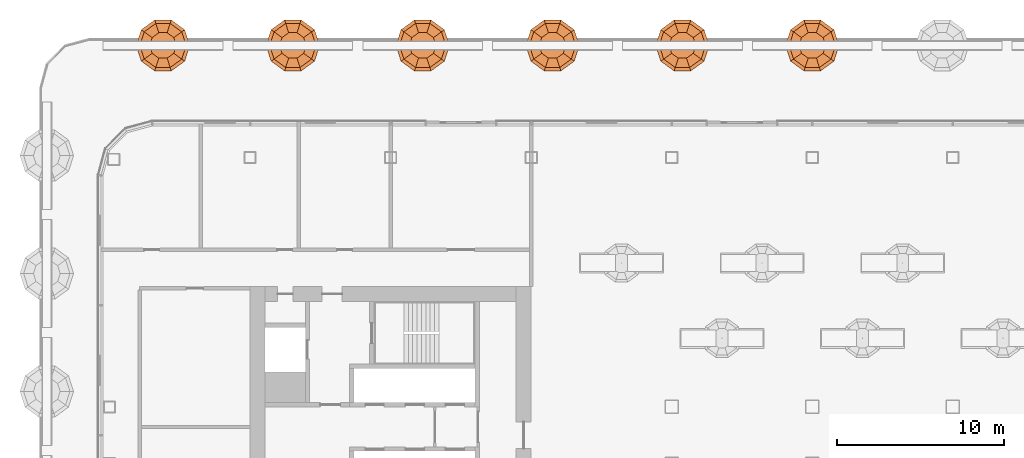
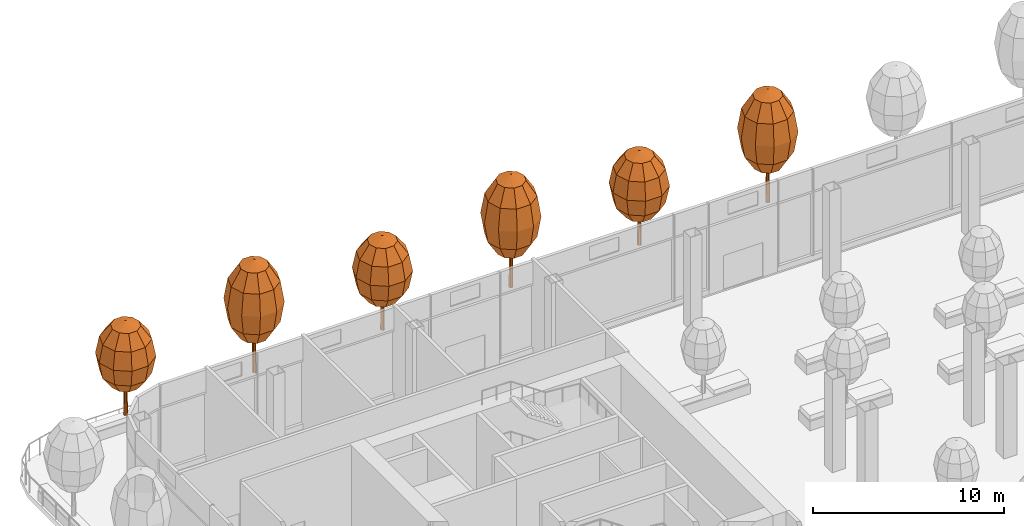
# One storey, part 41 of 43: 6 geographic elements.
"""IFC4 building model written with IfcOpenShell, lengths in metres."""

from ifc_helpers import new_model, si_unit, direction, frame, origin, place, context, subcontext, project, spatial, triangles, material, type_object, element, save


model = new_model("IFC4")

# Units and contexts
model_context = context("Model", 3, precision=1e-05, world=origin(), true_north=direction((0.0, 1.0)))
body_context = subcontext(model_context, "Body", "Model", "MODEL_VIEW")
ifc_project = project(units=[si_unit("LENGTHUNIT", "METRE"), si_unit("AREAUNIT", "SQUARE_METRE"), si_unit("VOLUMEUNIT", "CUBIC_METRE"), si_unit("PLANEANGLEUNIT", "RADIAN"), si_unit("MASSUNIT", "GRAM", prefix="KILO")], contexts=[model_context])

# Site, building, storey
site_placement = place(None, origin())
site = spatial("IfcSite", under=ifc_project, at=site_placement, CompositionType="ELEMENT")
building_placement = place(site_placement, origin())
building = spatial("IfcBuilding", under=site, at=building_placement, Name="Hakoniwa Tower and Hamabe Station Hall", CompositionType="ELEMENT")
storey_placement = place(building_placement, frame((0.0, 0.0, 124.60009765625)))
storey = spatial("IfcBuildingStorey", under=building, at=storey_placement, Name="L35", CompositionType="ELEMENT", Elevation=124.60009765625)

# Geographic elements
ifc_material_1 = material(Name="Tree foliage")
geographic_element_type_1 = type_object("IfcGeographicElementType", Name="Japanese maple 7.2 m", PredefinedType="USERDEFINED", material=ifc_material_1)
geographic_element_1_placement = place(storey_placement, frame((0.0, 22.801025390625, 0.89990234375)))
element("IfcGeographicElement", 1, at=geographic_element_1_placement, inside=storey, type_object=geographic_element_type_1, Name="Japanese maple 7-2 m", ObjectType="TREE", PredefinedType="USERDEFINED", context=body_context, shape_type="Tessellation", body=[
    triangles([(0.125, 0.0, 0.0), (0.08837890625, 0.08837890625, 0.0), (0.0, 0.125, 0.0), (-0.08837890625, 0.08837890625, 0.0), (-0.125, 0.0, 0.0), (-0.08837890625, -0.08837890625, 0.0), (0.0, -0.125, 0.0), (0.08837890625, -0.08837890625, 0.0), (0.074951171875, 0.0, 4.348876953125), (0.052978515625, 0.052978515625, 4.348876953125), (0.0, 0.074951171875, 4.348876953125), (-0.052978515625, 0.052978515625, 4.348876953125), (-0.074951171875, 0.0, 4.348876953125), (-0.052978515625, -0.052978515625, 4.348876953125), (0.0, -0.074951171875, 4.348876953125), (0.052978515625, -0.052978515625, 4.348876953125), (0.0, 0.0, 0.0), (0.0, 0.0, 4.348876953125)], [[1, 2, 10], [1, 10, 9], [17, 2, 1], [18, 9, 10], [2, 3, 11], [2, 11, 10], [17, 3, 2], [18, 10, 11], [3, 4, 12], [3, 12, 11], [17, 4, 3], [18, 11, 12], [4, 5, 13], [4, 13, 12], [17, 5, 4], [18, 12, 13], [5, 6, 14], [5, 14, 13], [17, 6, 5], [18, 13, 14], [6, 7, 15], [6, 15, 14], [17, 7, 6], [18, 14, 15], [7, 8, 16], [7, 16, 15], [17, 8, 7], [18, 15, 16], [8, 1, 9], [8, 9, 16], [17, 1, 8], [18, 16, 9]], closed=True),
    triangles([(0.0, 0.0, 2.015869140625), (0.800048828125, 0.0, 2.36328125), (0.647216796875, 0.47021484375, 2.36328125), (0.247314453125, 0.7607421875, 2.36328125), (-0.247314453125, 0.7607421875, 2.36328125), (-0.647216796875, 0.47021484375, 2.36328125), (-0.800048828125, 0.0, 2.36328125), (-0.647216796875, -0.47021484375, 2.36328125), (-0.247314453125, -0.7607421875, 2.36328125), (0.247314453125, -0.7607421875, 2.36328125), (0.647216796875, -0.47021484375, 2.36328125), (1.385498046875, 0.0, 3.31201171875), (1.12109375, 0.814453125, 3.31201171875), (0.42822265625, 1.31787109375, 3.31201171875), (-0.42822265625, 1.31787109375, 3.31201171875), (-1.12109375, 0.814453125, 3.31201171875), (-1.385498046875, 0.0, 3.31201171875), (-1.12109375, -0.814453125, 3.31201171875), (-0.42822265625, -1.31787109375, 3.31201171875), (0.42822265625, -1.31787109375, 3.31201171875), (1.12109375, -0.814453125, 3.31201171875), (1.60009765625, 0.0, 4.60791015625), (1.29443359375, 0.9404296875, 4.60791015625), (0.494384765625, 1.521728515625, 4.60791015625), (-0.494384765625, 1.521728515625, 4.60791015625), (-1.29443359375, 0.9404296875, 4.60791015625), (-1.60009765625, 0.0, 4.60791015625), (-1.29443359375, -0.9404296875, 4.60791015625), (-0.494384765625, -1.521728515625, 4.60791015625), (0.494384765625, -1.521728515625, 4.60791015625), (1.29443359375, -0.9404296875, 4.60791015625), (1.385498046875, 0.0, 5.904052734375), (1.12109375, 0.814453125, 5.904052734375), (0.42822265625, 1.31787109375, 5.904052734375), (-0.42822265625, 1.31787109375, 5.904052734375), (-1.12109375, 0.814453125, 5.904052734375), (-1.385498046875, 0.0, 5.904052734375), (-1.12109375, -0.814453125, 5.904052734375), (-0.42822265625, -1.31787109375, 5.904052734375), (0.42822265625, -1.31787109375, 5.904052734375), (1.12109375, -0.814453125, 5.904052734375), (0.800048828125, 0.0, 6.852783203125), (0.647216796875, 0.47021484375, 6.852783203125), (0.247314453125, 0.7607421875, 6.852783203125), (-0.247314453125, 0.7607421875, 6.852783203125), (-0.647216796875, 0.47021484375, 6.852783203125), (-0.800048828125, 0.0, 6.852783203125), (-0.647216796875, -0.47021484375, 6.852783203125), (-0.247314453125, -0.7607421875, 6.852783203125), (0.247314453125, -0.7607421875, 6.852783203125), (0.647216796875, -0.47021484375, 6.852783203125), (0.0, 0.0, 7.199951171875)], [[1, 3, 2], [1, 4, 3], [1, 5, 4], [1, 6, 5], [1, 7, 6], [1, 8, 7], [1, 9, 8], [1, 10, 9], [1, 11, 10], [1, 2, 11], [2, 3, 13], [2, 13, 12], [3, 4, 14], [3, 14, 13], [4, 5, 15], [4, 15, 14], [5, 6, 16], [5, 16, 15], [6, 7, 17], [6, 17, 16], [7, 8, 18], [7, 18, 17], [8, 9, 19], [8, 19, 18], [9, 10, 20], [9, 20, 19], [10, 11, 21], [10, 21, 20], [11, 2, 12], [11, 12, 21], [12, 13, 23], [12, 23, 22], [13, 14, 24], [13, 24, 23], [14, 15, 25], [14, 25, 24], [15, 16, 26], [15, 26, 25], [16, 17, 27], [16, 27, 26], [17, 18, 28], [17, 28, 27], [18, 19, 29], [18, 29, 28], [19, 20, 30], [19, 30, 29], [20, 21, 31], [20, 31, 30], [21, 12, 22], [21, 22, 31], [22, 23, 33], [22, 33, 32], [23, 24, 34], [23, 34, 33], [24, 25, 35], [24, 35, 34], [25, 26, 36], [25, 36, 35], [26, 27, 37], [26, 37, 36], [27, 28, 38], [27, 38, 37], [28, 29, 39], [28, 39, 38], [29, 30, 40], [29, 40, 39], [30, 31, 41], [30, 41, 40], [31, 22, 32], [31, 32, 41], [32, 33, 43], [32, 43, 42], [33, 34, 44], [33, 44, 43], [34, 35, 45], [34, 45, 44], [35, 36, 46], [35, 46, 45], [36, 37, 47], [36, 47, 46], [37, 38, 48], [37, 48, 47], [38, 39, 49], [38, 49, 48], [39, 40, 50], [39, 50, 49], [40, 41, 51], [40, 51, 50], [41, 32, 42], [41, 42, 51], [52, 42, 43], [52, 43, 44], [52, 44, 45], [52, 45, 46], [52, 46, 47], [52, 47, 48], [52, 48, 49], [52, 49, 50], [52, 50, 51], [52, 51, 42]], closed=True),
])
geographic_element_2_placement = place(storey_placement, frame((-15.5224609375, 22.801025390625, 0.89990234375)))
element("IfcGeographicElement", 2, at=geographic_element_2_placement, inside=storey, type_object=geographic_element_type_1, Name="Japanese maple 7-2 m", ObjectType="TREE", PredefinedType="USERDEFINED", context=body_context, shape_type="Tessellation", body=[
    triangles([(0.125, 0.0, 0.0), (0.08837890625, 0.08837890625, 0.0), (0.0, 0.125, 0.0), (-0.08837890625, 0.08837890625, 0.0), (-0.125, 0.0, 0.0), (-0.08837890625, -0.08837890625, 0.0), (0.0, -0.125, 0.0), (0.08837890625, -0.08837890625, 0.0), (0.074951171875, 0.0, 4.348876953125), (0.052978515625, 0.052978515625, 4.348876953125), (0.0, 0.074951171875, 4.348876953125), (-0.052978515625, 0.052978515625, 4.348876953125), (-0.074951171875, 0.0, 4.348876953125), (-0.052978515625, -0.052978515625, 4.348876953125), (0.0, -0.074951171875, 4.348876953125), (0.052978515625, -0.052978515625, 4.348876953125), (0.0, 0.0, 0.0), (0.0, 0.0, 4.348876953125)], [[1, 2, 10], [1, 10, 9], [17, 2, 1], [18, 9, 10], [2, 3, 11], [2, 11, 10], [17, 3, 2], [18, 10, 11], [3, 4, 12], [3, 12, 11], [17, 4, 3], [18, 11, 12], [4, 5, 13], [4, 13, 12], [17, 5, 4], [18, 12, 13], [5, 6, 14], [5, 14, 13], [17, 6, 5], [18, 13, 14], [6, 7, 15], [6, 15, 14], [17, 7, 6], [18, 14, 15], [7, 8, 16], [7, 16, 15], [17, 8, 7], [18, 15, 16], [8, 1, 9], [8, 9, 16], [17, 1, 8], [18, 16, 9]], closed=True),
    triangles([(0.0, 0.0, 2.015869140625), (0.800048828125, 0.0, 2.36328125), (0.647216796875, 0.47021484375, 2.36328125), (0.247314453125, 0.7607421875, 2.36328125), (-0.247314453125, 0.7607421875, 2.36328125), (-0.647216796875, 0.47021484375, 2.36328125), (-0.800048828125, 0.0, 2.36328125), (-0.647216796875, -0.47021484375, 2.36328125), (-0.247314453125, -0.7607421875, 2.36328125), (0.247314453125, -0.7607421875, 2.36328125), (0.647216796875, -0.47021484375, 2.36328125), (1.385498046875, 0.0, 3.31201171875), (1.12109375, 0.814453125, 3.31201171875), (0.42822265625, 1.31787109375, 3.31201171875), (-0.42822265625, 1.31787109375, 3.31201171875), (-1.12109375, 0.814453125, 3.31201171875), (-1.385498046875, 0.0, 3.31201171875), (-1.12109375, -0.814453125, 3.31201171875), (-0.42822265625, -1.31787109375, 3.31201171875), (0.42822265625, -1.31787109375, 3.31201171875), (1.12109375, -0.814453125, 3.31201171875), (1.60009765625, 0.0, 4.60791015625), (1.29443359375, 0.9404296875, 4.60791015625), (0.494384765625, 1.521728515625, 4.60791015625), (-0.494384765625, 1.521728515625, 4.60791015625), (-1.29443359375, 0.9404296875, 4.60791015625), (-1.60009765625, 0.0, 4.60791015625), (-1.29443359375, -0.9404296875, 4.60791015625), (-0.494384765625, -1.521728515625, 4.60791015625), (0.494384765625, -1.521728515625, 4.60791015625), (1.29443359375, -0.9404296875, 4.60791015625), (1.385498046875, 0.0, 5.904052734375), (1.12109375, 0.814453125, 5.904052734375), (0.42822265625, 1.31787109375, 5.904052734375), (-0.42822265625, 1.31787109375, 5.904052734375), (-1.12109375, 0.814453125, 5.904052734375), (-1.385498046875, 0.0, 5.904052734375), (-1.12109375, -0.814453125, 5.904052734375), (-0.42822265625, -1.31787109375, 5.904052734375), (0.42822265625, -1.31787109375, 5.904052734375), (1.12109375, -0.814453125, 5.904052734375), (0.800048828125, 0.0, 6.852783203125), (0.647216796875, 0.47021484375, 6.852783203125), (0.247314453125, 0.7607421875, 6.852783203125), (-0.247314453125, 0.7607421875, 6.852783203125), (-0.647216796875, 0.47021484375, 6.852783203125), (-0.800048828125, 0.0, 6.852783203125), (-0.647216796875, -0.47021484375, 6.852783203125), (-0.247314453125, -0.7607421875, 6.852783203125), (0.247314453125, -0.7607421875, 6.852783203125), (0.647216796875, -0.47021484375, 6.852783203125), (0.0, 0.0, 7.199951171875)], [[1, 3, 2], [1, 4, 3], [1, 5, 4], [1, 6, 5], [1, 7, 6], [1, 8, 7], [1, 9, 8], [1, 10, 9], [1, 11, 10], [1, 2, 11], [2, 3, 13], [2, 13, 12], [3, 4, 14], [3, 14, 13], [4, 5, 15], [4, 15, 14], [5, 6, 16], [5, 16, 15], [6, 7, 17], [6, 17, 16], [7, 8, 18], [7, 18, 17], [8, 9, 19], [8, 19, 18], [9, 10, 20], [9, 20, 19], [10, 11, 21], [10, 21, 20], [11, 2, 12], [11, 12, 21], [12, 13, 23], [12, 23, 22], [13, 14, 24], [13, 24, 23], [14, 15, 25], [14, 25, 24], [15, 16, 26], [15, 26, 25], [16, 17, 27], [16, 27, 26], [17, 18, 28], [17, 28, 27], [18, 19, 29], [18, 29, 28], [19, 20, 30], [19, 30, 29], [20, 21, 31], [20, 31, 30], [21, 12, 22], [21, 22, 31], [22, 23, 33], [22, 33, 32], [23, 24, 34], [23, 34, 33], [24, 25, 35], [24, 35, 34], [25, 26, 36], [25, 36, 35], [26, 27, 37], [26, 37, 36], [27, 28, 38], [27, 38, 37], [28, 29, 39], [28, 39, 38], [29, 30, 40], [29, 40, 39], [30, 31, 41], [30, 41, 40], [31, 22, 32], [31, 32, 41], [32, 33, 43], [32, 43, 42], [33, 34, 44], [33, 44, 43], [34, 35, 45], [34, 45, 44], [35, 36, 46], [35, 46, 45], [36, 37, 47], [36, 47, 46], [37, 38, 48], [37, 48, 47], [38, 39, 49], [38, 49, 48], [39, 40, 50], [39, 50, 49], [40, 41, 51], [40, 51, 50], [41, 32, 42], [41, 42, 51], [52, 42, 43], [52, 43, 44], [52, 44, 45], [52, 45, 46], [52, 46, 47], [52, 47, 48], [52, 48, 49], [52, 49, 50], [52, 50, 51], [52, 51, 42]], closed=True),
])
geographic_element_3_placement = place(storey_placement, frame((-31.044921875, 22.801025390625, 0.89990234375)))
element("IfcGeographicElement", 3, at=geographic_element_3_placement, inside=storey, type_object=geographic_element_type_1, Name="Japanese maple 7-2 m", ObjectType="TREE", PredefinedType="USERDEFINED", context=body_context, shape_type="Tessellation", body=[
    triangles([(0.125, 0.0, 0.0), (0.08837890625, 0.08837890625, 0.0), (0.0, 0.125, 0.0), (-0.08837890625, 0.08837890625, 0.0), (-0.125, 0.0, 0.0), (-0.08837890625, -0.08837890625, 0.0), (0.0, -0.125, 0.0), (0.08837890625, -0.08837890625, 0.0), (0.074951171875, 0.0, 4.348876953125), (0.052978515625, 0.052978515625, 4.348876953125), (0.0, 0.074951171875, 4.348876953125), (-0.052978515625, 0.052978515625, 4.348876953125), (-0.074951171875, 0.0, 4.348876953125), (-0.052978515625, -0.052978515625, 4.348876953125), (0.0, -0.074951171875, 4.348876953125), (0.052978515625, -0.052978515625, 4.348876953125), (0.0, 0.0, 0.0), (0.0, 0.0, 4.348876953125)], [[1, 2, 10], [1, 10, 9], [17, 2, 1], [18, 9, 10], [2, 3, 11], [2, 11, 10], [17, 3, 2], [18, 10, 11], [3, 4, 12], [3, 12, 11], [17, 4, 3], [18, 11, 12], [4, 5, 13], [4, 13, 12], [17, 5, 4], [18, 12, 13], [5, 6, 14], [5, 14, 13], [17, 6, 5], [18, 13, 14], [6, 7, 15], [6, 15, 14], [17, 7, 6], [18, 14, 15], [7, 8, 16], [7, 16, 15], [17, 8, 7], [18, 15, 16], [8, 1, 9], [8, 9, 16], [17, 1, 8], [18, 16, 9]], closed=True),
    triangles([(0.0, 0.0, 2.015869140625), (0.800048828125, 0.0, 2.36328125), (0.647216796875, 0.47021484375, 2.36328125), (0.247314453125, 0.7607421875, 2.36328125), (-0.247314453125, 0.7607421875, 2.36328125), (-0.647216796875, 0.47021484375, 2.36328125), (-0.800048828125, 0.0, 2.36328125), (-0.647216796875, -0.47021484375, 2.36328125), (-0.247314453125, -0.7607421875, 2.36328125), (0.247314453125, -0.7607421875, 2.36328125), (0.647216796875, -0.47021484375, 2.36328125), (1.385498046875, 0.0, 3.31201171875), (1.12109375, 0.814453125, 3.31201171875), (0.42822265625, 1.31787109375, 3.31201171875), (-0.42822265625, 1.31787109375, 3.31201171875), (-1.12109375, 0.814453125, 3.31201171875), (-1.385498046875, 0.0, 3.31201171875), (-1.12109375, -0.814453125, 3.31201171875), (-0.42822265625, -1.31787109375, 3.31201171875), (0.42822265625, -1.31787109375, 3.31201171875), (1.12109375, -0.814453125, 3.31201171875), (1.60009765625, 0.0, 4.60791015625), (1.29443359375, 0.9404296875, 4.60791015625), (0.494384765625, 1.521728515625, 4.60791015625), (-0.494384765625, 1.521728515625, 4.60791015625), (-1.29443359375, 0.9404296875, 4.60791015625), (-1.60009765625, 0.0, 4.60791015625), (-1.29443359375, -0.9404296875, 4.60791015625), (-0.494384765625, -1.521728515625, 4.60791015625), (0.494384765625, -1.521728515625, 4.60791015625), (1.29443359375, -0.9404296875, 4.60791015625), (1.385498046875, 0.0, 5.904052734375), (1.12109375, 0.814453125, 5.904052734375), (0.42822265625, 1.31787109375, 5.904052734375), (-0.42822265625, 1.31787109375, 5.904052734375), (-1.12109375, 0.814453125, 5.904052734375), (-1.385498046875, 0.0, 5.904052734375), (-1.12109375, -0.814453125, 5.904052734375), (-0.42822265625, -1.31787109375, 5.904052734375), (0.42822265625, -1.31787109375, 5.904052734375), (1.12109375, -0.814453125, 5.904052734375), (0.800048828125, 0.0, 6.852783203125), (0.647216796875, 0.47021484375, 6.852783203125), (0.247314453125, 0.7607421875, 6.852783203125), (-0.247314453125, 0.7607421875, 6.852783203125), (-0.647216796875, 0.47021484375, 6.852783203125), (-0.800048828125, 0.0, 6.852783203125), (-0.647216796875, -0.47021484375, 6.852783203125), (-0.247314453125, -0.7607421875, 6.852783203125), (0.247314453125, -0.7607421875, 6.852783203125), (0.647216796875, -0.47021484375, 6.852783203125), (0.0, 0.0, 7.199951171875)], [[1, 3, 2], [1, 4, 3], [1, 5, 4], [1, 6, 5], [1, 7, 6], [1, 8, 7], [1, 9, 8], [1, 10, 9], [1, 11, 10], [1, 2, 11], [2, 3, 13], [2, 13, 12], [3, 4, 14], [3, 14, 13], [4, 5, 15], [4, 15, 14], [5, 6, 16], [5, 16, 15], [6, 7, 17], [6, 17, 16], [7, 8, 18], [7, 18, 17], [8, 9, 19], [8, 19, 18], [9, 10, 20], [9, 20, 19], [10, 11, 21], [10, 21, 20], [11, 2, 12], [11, 12, 21], [12, 13, 23], [12, 23, 22], [13, 14, 24], [13, 24, 23], [14, 15, 25], [14, 25, 24], [15, 16, 26], [15, 26, 25], [16, 17, 27], [16, 27, 26], [17, 18, 28], [17, 28, 27], [18, 19, 29], [18, 29, 28], [19, 20, 30], [19, 30, 29], [20, 21, 31], [20, 31, 30], [21, 12, 22], [21, 22, 31], [22, 23, 33], [22, 33, 32], [23, 24, 34], [23, 34, 33], [24, 25, 35], [24, 35, 34], [25, 26, 36], [25, 36, 35], [26, 27, 37], [26, 37, 36], [27, 28, 38], [27, 38, 37], [28, 29, 39], [28, 39, 38], [29, 30, 40], [29, 40, 39], [30, 31, 41], [30, 41, 40], [31, 22, 32], [31, 32, 41], [32, 33, 43], [32, 43, 42], [33, 34, 44], [33, 44, 43], [34, 35, 45], [34, 45, 44], [35, 36, 46], [35, 46, 45], [36, 37, 47], [36, 47, 46], [37, 38, 48], [37, 48, 47], [38, 39, 49], [38, 49, 48], [39, 40, 50], [39, 50, 49], [40, 41, 51], [40, 51, 50], [41, 32, 42], [41, 42, 51], [52, 42, 43], [52, 43, 44], [52, 44, 45], [52, 45, 46], [52, 46, 47], [52, 47, 48], [52, 48, 49], [52, 49, 50], [52, 50, 51], [52, 51, 42]], closed=True),
])
ifc_material_2 = material(Name="Tree foliage")
geographic_element_type_2 = type_object("IfcGeographicElementType", Name="Osmanthus 6.0 m", PredefinedType="USERDEFINED", material=ifc_material_2)
geographic_element_4_placement = place(storey_placement, frame((-7.76123046875, 22.801025390625, 0.89990234375)))
element("IfcGeographicElement", 4, at=geographic_element_4_placement, inside=storey, type_object=geographic_element_type_2, Name="Osmanthus 6-0 m", ObjectType="TREE", PredefinedType="USERDEFINED", context=body_context, shape_type="Tessellation", body=[
    triangles([(0.125, 0.0, 0.0), (0.08837890625, 0.08837890625, 0.0), (0.0, 0.125, 0.0), (-0.08837890625, 0.08837890625, 0.0), (-0.125, 0.0, 0.0), (-0.08837890625, -0.08837890625, 0.0), (0.0, -0.125, 0.0), (0.08837890625, -0.08837890625, 0.0), (0.074951171875, 0.0, 3.6240234375), (0.052978515625, 0.052978515625, 3.6240234375), (0.0, 0.074951171875, 3.6240234375), (-0.052978515625, 0.052978515625, 3.6240234375), (-0.074951171875, 0.0, 3.6240234375), (-0.052978515625, -0.052978515625, 3.6240234375), (0.0, -0.074951171875, 3.6240234375), (0.052978515625, -0.052978515625, 3.6240234375), (0.0, 0.0, 0.0), (0.0, 0.0, 3.6240234375)], [[1, 2, 10], [1, 10, 9], [17, 2, 1], [18, 9, 10], [2, 3, 11], [2, 11, 10], [17, 3, 2], [18, 10, 11], [3, 4, 12], [3, 12, 11], [17, 4, 3], [18, 11, 12], [4, 5, 13], [4, 13, 12], [17, 5, 4], [18, 12, 13], [5, 6, 14], [5, 14, 13], [17, 6, 5], [18, 13, 14], [6, 7, 15], [6, 15, 14], [17, 7, 6], [18, 14, 15], [7, 8, 16], [7, 16, 15], [17, 8, 7], [18, 15, 16], [8, 1, 9], [8, 9, 16], [17, 1, 8], [18, 16, 9]], closed=True),
    triangles([(0.0, 0.0, 1.679931640625), (0.800048828125, 0.0, 1.969482421875), (0.647216796875, 0.47021484375, 1.969482421875), (0.247314453125, 0.7607421875, 1.969482421875), (-0.247314453125, 0.7607421875, 1.969482421875), (-0.647216796875, 0.47021484375, 1.969482421875), (-0.800048828125, 0.0, 1.969482421875), (-0.647216796875, -0.47021484375, 1.969482421875), (-0.247314453125, -0.7607421875, 1.969482421875), (0.247314453125, -0.7607421875, 1.969482421875), (0.647216796875, -0.47021484375, 1.969482421875), (1.385498046875, 0.0, 2.760009765625), (1.12109375, 0.814453125, 2.760009765625), (0.42822265625, 1.31787109375, 2.760009765625), (-0.42822265625, 1.31787109375, 2.760009765625), (-1.12109375, 0.814453125, 2.760009765625), (-1.385498046875, 0.0, 2.760009765625), (-1.12109375, -0.814453125, 2.760009765625), (-0.42822265625, -1.31787109375, 2.760009765625), (0.42822265625, -1.31787109375, 2.760009765625), (1.12109375, -0.814453125, 2.760009765625), (1.60009765625, 0.0, 3.840087890625), (1.29443359375, 0.9404296875, 3.840087890625), (0.494384765625, 1.521728515625, 3.840087890625), (-0.494384765625, 1.521728515625, 3.840087890625), (-1.29443359375, 0.9404296875, 3.840087890625), (-1.60009765625, 0.0, 3.840087890625), (-1.29443359375, -0.9404296875, 3.840087890625), (-0.494384765625, -1.521728515625, 3.840087890625), (0.494384765625, -1.521728515625, 3.840087890625), (1.29443359375, -0.9404296875, 3.840087890625), (1.385498046875, 0.0, 4.919921875), (1.12109375, 0.814453125, 4.919921875), (0.42822265625, 1.31787109375, 4.919921875), (-0.42822265625, 1.31787109375, 4.919921875), (-1.12109375, 0.814453125, 4.919921875), (-1.385498046875, 0.0, 4.919921875), (-1.12109375, -0.814453125, 4.919921875), (-0.42822265625, -1.31787109375, 4.919921875), (0.42822265625, -1.31787109375, 4.919921875), (1.12109375, -0.814453125, 4.919921875), (0.800048828125, 0.0, 5.710693359375), (0.647216796875, 0.47021484375, 5.710693359375), (0.247314453125, 0.7607421875, 5.710693359375), (-0.247314453125, 0.7607421875, 5.710693359375), (-0.647216796875, 0.47021484375, 5.710693359375), (-0.800048828125, 0.0, 5.710693359375), (-0.647216796875, -0.47021484375, 5.710693359375), (-0.247314453125, -0.7607421875, 5.710693359375), (0.247314453125, -0.7607421875, 5.710693359375), (0.647216796875, -0.47021484375, 5.710693359375), (0.0, 0.0, 6.0)], [[1, 3, 2], [1, 4, 3], [1, 5, 4], [1, 6, 5], [1, 7, 6], [1, 8, 7], [1, 9, 8], [1, 10, 9], [1, 11, 10], [1, 2, 11], [2, 3, 13], [2, 13, 12], [3, 4, 14], [3, 14, 13], [4, 5, 15], [4, 15, 14], [5, 6, 16], [5, 16, 15], [6, 7, 17], [6, 17, 16], [7, 8, 18], [7, 18, 17], [8, 9, 19], [8, 19, 18], [9, 10, 20], [9, 20, 19], [10, 11, 21], [10, 21, 20], [11, 2, 12], [11, 12, 21], [12, 13, 23], [12, 23, 22], [13, 14, 24], [13, 24, 23], [14, 15, 25], [14, 25, 24], [15, 16, 26], [15, 26, 25], [16, 17, 27], [16, 27, 26], [17, 18, 28], [17, 28, 27], [18, 19, 29], [18, 29, 28], [19, 20, 30], [19, 30, 29], [20, 21, 31], [20, 31, 30], [21, 12, 22], [21, 22, 31], [22, 23, 33], [22, 33, 32], [23, 24, 34], [23, 34, 33], [24, 25, 35], [24, 35, 34], [25, 26, 36], [25, 36, 35], [26, 27, 37], [26, 37, 36], [27, 28, 38], [27, 38, 37], [28, 29, 39], [28, 39, 38], [29, 30, 40], [29, 40, 39], [30, 31, 41], [30, 41, 40], [31, 22, 32], [31, 32, 41], [32, 33, 43], [32, 43, 42], [33, 34, 44], [33, 44, 43], [34, 35, 45], [34, 45, 44], [35, 36, 46], [35, 46, 45], [36, 37, 47], [36, 47, 46], [37, 38, 48], [37, 48, 47], [38, 39, 49], [38, 49, 48], [39, 40, 50], [39, 50, 49], [40, 41, 51], [40, 51, 50], [41, 32, 42], [41, 42, 51], [52, 42, 43], [52, 43, 44], [52, 44, 45], [52, 45, 46], [52, 46, 47], [52, 47, 48], [52, 48, 49], [52, 49, 50], [52, 50, 51], [52, 51, 42]], closed=True),
])
geographic_element_5_placement = place(storey_placement, frame((-23.28369140625, 22.801025390625, 0.89990234375)))
element("IfcGeographicElement", 5, at=geographic_element_5_placement, inside=storey, type_object=geographic_element_type_2, Name="Osmanthus 6-0 m", ObjectType="TREE", PredefinedType="USERDEFINED", context=body_context, shape_type="Tessellation", body=[
    triangles([(0.125, 0.0, 0.0), (0.08837890625, 0.08837890625, 0.0), (0.0, 0.125, 0.0), (-0.08837890625, 0.08837890625, 0.0), (-0.125, 0.0, 0.0), (-0.08837890625, -0.08837890625, 0.0), (0.0, -0.125, 0.0), (0.08837890625, -0.08837890625, 0.0), (0.074951171875, 0.0, 3.6240234375), (0.052978515625, 0.052978515625, 3.6240234375), (0.0, 0.074951171875, 3.6240234375), (-0.052978515625, 0.052978515625, 3.6240234375), (-0.074951171875, 0.0, 3.6240234375), (-0.052978515625, -0.052978515625, 3.6240234375), (0.0, -0.074951171875, 3.6240234375), (0.052978515625, -0.052978515625, 3.6240234375), (0.0, 0.0, 0.0), (0.0, 0.0, 3.6240234375)], [[1, 2, 10], [1, 10, 9], [17, 2, 1], [18, 9, 10], [2, 3, 11], [2, 11, 10], [17, 3, 2], [18, 10, 11], [3, 4, 12], [3, 12, 11], [17, 4, 3], [18, 11, 12], [4, 5, 13], [4, 13, 12], [17, 5, 4], [18, 12, 13], [5, 6, 14], [5, 14, 13], [17, 6, 5], [18, 13, 14], [6, 7, 15], [6, 15, 14], [17, 7, 6], [18, 14, 15], [7, 8, 16], [7, 16, 15], [17, 8, 7], [18, 15, 16], [8, 1, 9], [8, 9, 16], [17, 1, 8], [18, 16, 9]], closed=True),
    triangles([(0.0, 0.0, 1.679931640625), (0.800048828125, 0.0, 1.969482421875), (0.647216796875, 0.47021484375, 1.969482421875), (0.247314453125, 0.7607421875, 1.969482421875), (-0.247314453125, 0.7607421875, 1.969482421875), (-0.647216796875, 0.47021484375, 1.969482421875), (-0.800048828125, 0.0, 1.969482421875), (-0.647216796875, -0.47021484375, 1.969482421875), (-0.247314453125, -0.7607421875, 1.969482421875), (0.247314453125, -0.7607421875, 1.969482421875), (0.647216796875, -0.47021484375, 1.969482421875), (1.385498046875, 0.0, 2.760009765625), (1.12109375, 0.814453125, 2.760009765625), (0.42822265625, 1.31787109375, 2.760009765625), (-0.42822265625, 1.31787109375, 2.760009765625), (-1.12109375, 0.814453125, 2.760009765625), (-1.385498046875, 0.0, 2.760009765625), (-1.12109375, -0.814453125, 2.760009765625), (-0.42822265625, -1.31787109375, 2.760009765625), (0.42822265625, -1.31787109375, 2.760009765625), (1.12109375, -0.814453125, 2.760009765625), (1.60009765625, 0.0, 3.840087890625), (1.29443359375, 0.9404296875, 3.840087890625), (0.494384765625, 1.521728515625, 3.840087890625), (-0.494384765625, 1.521728515625, 3.840087890625), (-1.29443359375, 0.9404296875, 3.840087890625), (-1.60009765625, 0.0, 3.840087890625), (-1.29443359375, -0.9404296875, 3.840087890625), (-0.494384765625, -1.521728515625, 3.840087890625), (0.494384765625, -1.521728515625, 3.840087890625), (1.29443359375, -0.9404296875, 3.840087890625), (1.385498046875, 0.0, 4.919921875), (1.12109375, 0.814453125, 4.919921875), (0.42822265625, 1.31787109375, 4.919921875), (-0.42822265625, 1.31787109375, 4.919921875), (-1.12109375, 0.814453125, 4.919921875), (-1.385498046875, 0.0, 4.919921875), (-1.12109375, -0.814453125, 4.919921875), (-0.42822265625, -1.31787109375, 4.919921875), (0.42822265625, -1.31787109375, 4.919921875), (1.12109375, -0.814453125, 4.919921875), (0.800048828125, 0.0, 5.710693359375), (0.647216796875, 0.47021484375, 5.710693359375), (0.247314453125, 0.7607421875, 5.710693359375), (-0.247314453125, 0.7607421875, 5.710693359375), (-0.647216796875, 0.47021484375, 5.710693359375), (-0.800048828125, 0.0, 5.710693359375), (-0.647216796875, -0.47021484375, 5.710693359375), (-0.247314453125, -0.7607421875, 5.710693359375), (0.247314453125, -0.7607421875, 5.710693359375), (0.647216796875, -0.47021484375, 5.710693359375), (0.0, 0.0, 6.0)], [[1, 3, 2], [1, 4, 3], [1, 5, 4], [1, 6, 5], [1, 7, 6], [1, 8, 7], [1, 9, 8], [1, 10, 9], [1, 11, 10], [1, 2, 11], [2, 3, 13], [2, 13, 12], [3, 4, 14], [3, 14, 13], [4, 5, 15], [4, 15, 14], [5, 6, 16], [5, 16, 15], [6, 7, 17], [6, 17, 16], [7, 8, 18], [7, 18, 17], [8, 9, 19], [8, 19, 18], [9, 10, 20], [9, 20, 19], [10, 11, 21], [10, 21, 20], [11, 2, 12], [11, 12, 21], [12, 13, 23], [12, 23, 22], [13, 14, 24], [13, 24, 23], [14, 15, 25], [14, 25, 24], [15, 16, 26], [15, 26, 25], [16, 17, 27], [16, 27, 26], [17, 18, 28], [17, 28, 27], [18, 19, 29], [18, 29, 28], [19, 20, 30], [19, 30, 29], [20, 21, 31], [20, 31, 30], [21, 12, 22], [21, 22, 31], [22, 23, 33], [22, 33, 32], [23, 24, 34], [23, 34, 33], [24, 25, 35], [24, 35, 34], [25, 26, 36], [25, 36, 35], [26, 27, 37], [26, 37, 36], [27, 28, 38], [27, 38, 37], [28, 29, 39], [28, 39, 38], [29, 30, 40], [29, 40, 39], [30, 31, 41], [30, 41, 40], [31, 22, 32], [31, 32, 41], [32, 33, 43], [32, 43, 42], [33, 34, 44], [33, 44, 43], [34, 35, 45], [34, 45, 44], [35, 36, 46], [35, 46, 45], [36, 37, 47], [36, 47, 46], [37, 38, 48], [37, 48, 47], [38, 39, 49], [38, 49, 48], [39, 40, 50], [39, 50, 49], [40, 41, 51], [40, 51, 50], [41, 32, 42], [41, 42, 51], [52, 42, 43], [52, 43, 44], [52, 44, 45], [52, 45, 46], [52, 46, 47], [52, 47, 48], [52, 48, 49], [52, 49, 50], [52, 50, 51], [52, 51, 42]], closed=True),
])
geographic_element_6_placement = place(storey_placement, frame((-38.80615234375, 22.801025390625, 0.89990234375)))
element("IfcGeographicElement", 6, at=geographic_element_6_placement, inside=storey, type_object=geographic_element_type_2, Name="Osmanthus 6-0 m", ObjectType="TREE", PredefinedType="USERDEFINED", context=body_context, shape_type="Tessellation", body=[
    triangles([(0.125, 0.0, 0.0), (0.08837890625, 0.08837890625, 0.0), (0.0, 0.125, 0.0), (-0.08837890625, 0.08837890625, 0.0), (-0.125, 0.0, 0.0), (-0.08837890625, -0.08837890625, 0.0), (0.0, -0.125, 0.0), (0.08837890625, -0.08837890625, 0.0), (0.074951171875, 0.0, 3.6240234375), (0.052978515625, 0.052978515625, 3.6240234375), (0.0, 0.074951171875, 3.6240234375), (-0.052978515625, 0.052978515625, 3.6240234375), (-0.074951171875, 0.0, 3.6240234375), (-0.052978515625, -0.052978515625, 3.6240234375), (0.0, -0.074951171875, 3.6240234375), (0.052978515625, -0.052978515625, 3.6240234375), (0.0, 0.0, 0.0), (0.0, 0.0, 3.6240234375)], [[1, 2, 10], [1, 10, 9], [17, 2, 1], [18, 9, 10], [2, 3, 11], [2, 11, 10], [17, 3, 2], [18, 10, 11], [3, 4, 12], [3, 12, 11], [17, 4, 3], [18, 11, 12], [4, 5, 13], [4, 13, 12], [17, 5, 4], [18, 12, 13], [5, 6, 14], [5, 14, 13], [17, 6, 5], [18, 13, 14], [6, 7, 15], [6, 15, 14], [17, 7, 6], [18, 14, 15], [7, 8, 16], [7, 16, 15], [17, 8, 7], [18, 15, 16], [8, 1, 9], [8, 9, 16], [17, 1, 8], [18, 16, 9]], closed=True),
    triangles([(0.0, 0.0, 1.679931640625), (0.800048828125, 0.0, 1.969482421875), (0.647216796875, 0.47021484375, 1.969482421875), (0.247314453125, 0.7607421875, 1.969482421875), (-0.247314453125, 0.7607421875, 1.969482421875), (-0.647216796875, 0.47021484375, 1.969482421875), (-0.800048828125, 0.0, 1.969482421875), (-0.647216796875, -0.47021484375, 1.969482421875), (-0.247314453125, -0.7607421875, 1.969482421875), (0.247314453125, -0.7607421875, 1.969482421875), (0.647216796875, -0.47021484375, 1.969482421875), (1.385498046875, 0.0, 2.760009765625), (1.12109375, 0.814453125, 2.760009765625), (0.42822265625, 1.31787109375, 2.760009765625), (-0.42822265625, 1.31787109375, 2.760009765625), (-1.12109375, 0.814453125, 2.760009765625), (-1.385498046875, 0.0, 2.760009765625), (-1.12109375, -0.814453125, 2.760009765625), (-0.42822265625, -1.31787109375, 2.760009765625), (0.42822265625, -1.31787109375, 2.760009765625), (1.12109375, -0.814453125, 2.760009765625), (1.60009765625, 0.0, 3.840087890625), (1.29443359375, 0.9404296875, 3.840087890625), (0.494384765625, 1.521728515625, 3.840087890625), (-0.494384765625, 1.521728515625, 3.840087890625), (-1.29443359375, 0.9404296875, 3.840087890625), (-1.60009765625, 0.0, 3.840087890625), (-1.29443359375, -0.9404296875, 3.840087890625), (-0.494384765625, -1.521728515625, 3.840087890625), (0.494384765625, -1.521728515625, 3.840087890625), (1.29443359375, -0.9404296875, 3.840087890625), (1.385498046875, 0.0, 4.919921875), (1.12109375, 0.814453125, 4.919921875), (0.42822265625, 1.31787109375, 4.919921875), (-0.42822265625, 1.31787109375, 4.919921875), (-1.12109375, 0.814453125, 4.919921875), (-1.385498046875, 0.0, 4.919921875), (-1.12109375, -0.814453125, 4.919921875), (-0.42822265625, -1.31787109375, 4.919921875), (0.42822265625, -1.31787109375, 4.919921875), (1.12109375, -0.814453125, 4.919921875), (0.800048828125, 0.0, 5.710693359375), (0.647216796875, 0.47021484375, 5.710693359375), (0.247314453125, 0.7607421875, 5.710693359375), (-0.247314453125, 0.7607421875, 5.710693359375), (-0.647216796875, 0.47021484375, 5.710693359375), (-0.800048828125, 0.0, 5.710693359375), (-0.647216796875, -0.47021484375, 5.710693359375), (-0.247314453125, -0.7607421875, 5.710693359375), (0.247314453125, -0.7607421875, 5.710693359375), (0.647216796875, -0.47021484375, 5.710693359375), (0.0, 0.0, 6.0)], [[1, 3, 2], [1, 4, 3], [1, 5, 4], [1, 6, 5], [1, 7, 6], [1, 8, 7], [1, 9, 8], [1, 10, 9], [1, 11, 10], [1, 2, 11], [2, 3, 13], [2, 13, 12], [3, 4, 14], [3, 14, 13], [4, 5, 15], [4, 15, 14], [5, 6, 16], [5, 16, 15], [6, 7, 17], [6, 17, 16], [7, 8, 18], [7, 18, 17], [8, 9, 19], [8, 19, 18], [9, 10, 20], [9, 20, 19], [10, 11, 21], [10, 21, 20], [11, 2, 12], [11, 12, 21], [12, 13, 23], [12, 23, 22], [13, 14, 24], [13, 24, 23], [14, 15, 25], [14, 25, 24], [15, 16, 26], [15, 26, 25], [16, 17, 27], [16, 27, 26], [17, 18, 28], [17, 28, 27], [18, 19, 29], [18, 29, 28], [19, 20, 30], [19, 30, 29], [20, 21, 31], [20, 31, 30], [21, 12, 22], [21, 22, 31], [22, 23, 33], [22, 33, 32], [23, 24, 34], [23, 34, 33], [24, 25, 35], [24, 35, 34], [25, 26, 36], [25, 36, 35], [26, 27, 37], [26, 37, 36], [27, 28, 38], [27, 38, 37], [28, 29, 39], [28, 39, 38], [29, 30, 40], [29, 40, 39], [30, 31, 41], [30, 41, 40], [31, 22, 32], [31, 32, 41], [32, 33, 43], [32, 43, 42], [33, 34, 44], [33, 44, 43], [34, 35, 45], [34, 45, 44], [35, 36, 46], [35, 46, 45], [36, 37, 47], [36, 47, 46], [37, 38, 48], [37, 48, 47], [38, 39, 49], [38, 49, 48], [39, 40, 50], [39, 50, 49], [40, 41, 51], [40, 51, 50], [41, 32, 42], [41, 42, 51], [52, 42, 43], [52, 43, 44], [52, 44, 45], [52, 45, 46], [52, 46, 47], [52, 47, 48], [52, 48, 49], [52, 49, 50], [52, 50, 51], [52, 51, 42]], closed=True),
])

save(model, "model.ifc")
